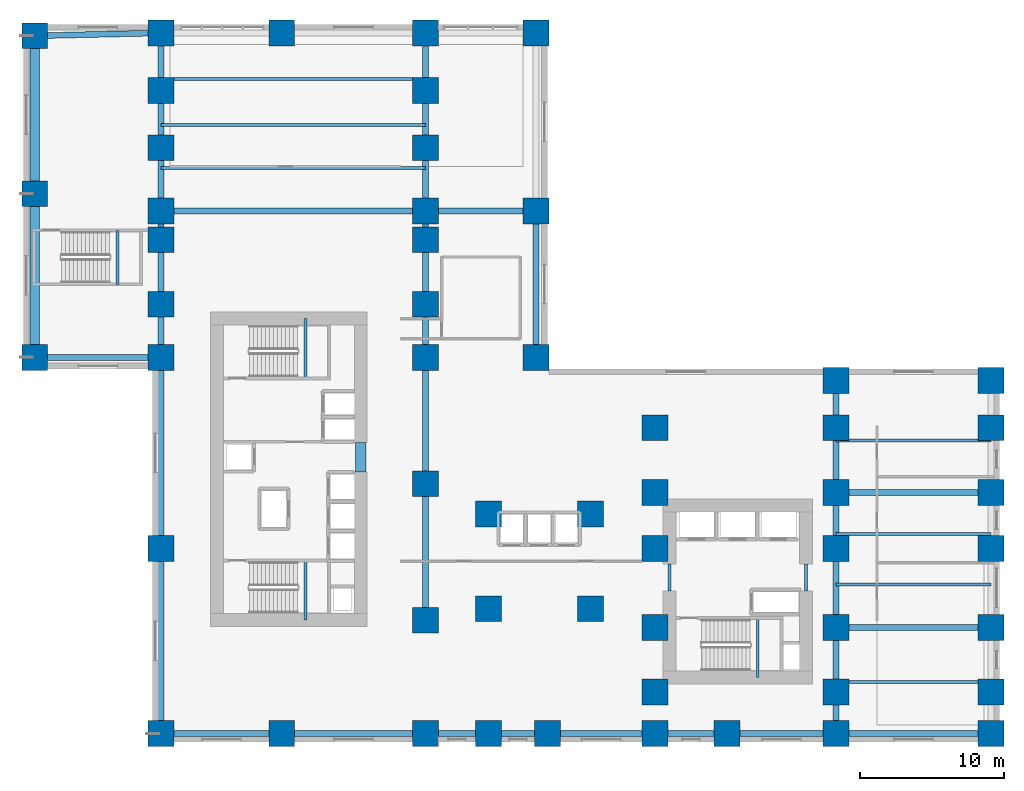
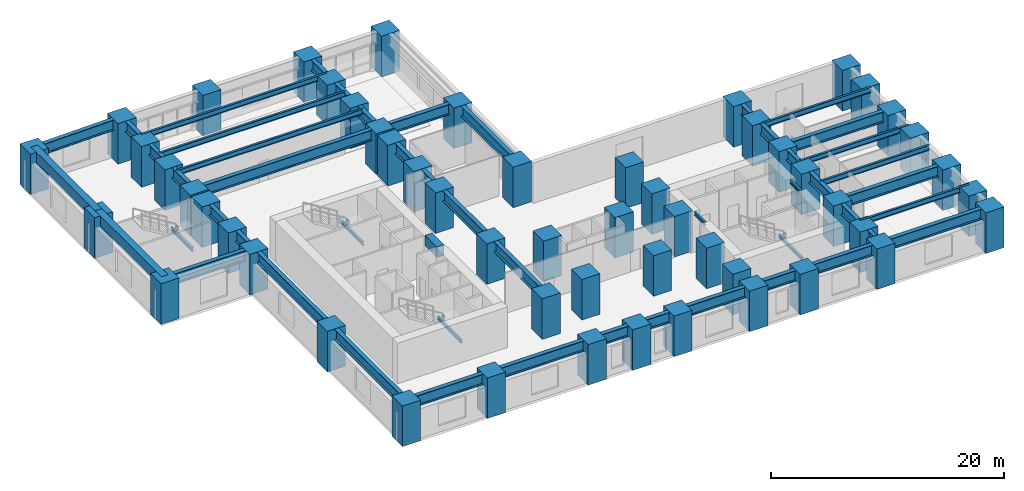
# One storey, part 1 of 11: 54 columns, 41 beams.
"""IFC4 building model written with IfcOpenShell, lengths in metres."""

from ifc_helpers import new_model, si_unit, direction, frame, origin, origin_2d, place, context, subcontext, project, spatial, rectangle, i_section, extrude, source, transform, mapped, material, material_profile, profile_set, type_object, element, save


model = new_model("IFC4")

# Units and contexts
model_context = context("Model", 3, precision=1e-05, world=origin(), true_north=direction((0.0, 1.0)))
body_context = subcontext(model_context, "Body", "Model", "MODEL_VIEW")
ifc_project = project(units=[si_unit("LENGTHUNIT", "METRE"), si_unit("AREAUNIT", "SQUARE_METRE"), si_unit("VOLUMEUNIT", "CUBIC_METRE"), si_unit("PLANEANGLEUNIT", "RADIAN"), si_unit("MASSUNIT", "GRAM", prefix="KILO")], contexts=[model_context])

# Site, building, storey
site_placement = place(None, origin())
site = spatial("IfcSite", under=ifc_project, at=site_placement, CompositionType="ELEMENT")
building_placement = place(site_placement, origin())
building = spatial("IfcBuilding", under=site, at=building_placement, Name="Kharzan Plaza Tower", CompositionType="ELEMENT")
storey_placement = place(building_placement, frame((0.0, 0.0, 9.0)))
storey = spatial("IfcBuildingStorey", under=building, at=storey_placement, Name="L02", CompositionType="ELEMENT", Elevation=9.0)

# Columns
ifc_material_1 = material(Name="Concrete C60/75", Category="concrete")
ifc_material_profile_1 = material_profile(ifc_material_1, rectangle(XDim=1.800048828125, YDim=1.800048828125, at=origin_2d()), Name="RC-MC1800x1800")
ifc_profile_set_1 = profile_set([ifc_material_profile_1], Name="Concrete C60/75")
column_type = type_object("IfcColumnType", Name="COL-MC1800", PredefinedType="COLUMN", material=ifc_profile_set_1)
shared_shape_1 = source(origin(), body_context, "Body", "SweptSolid", [
    extrude(rectangle(XDim=1.800048828125, YDim=1.800048828125, at=origin_2d()), origin(), (0.0, 0.0, 1.0), 4.25),
])
for number, where, z_axis, x_axis, name in (
    (1, (-8.199951171875, 26.800048828125, 0.0), (0.0, 0.0, 1.0), (1.0, 0.0, 0.0), "L02 Podium Mega-Column MC01"),
    (2, (-8.199951171875, 38.199951171875, 0.0), (0.0, 0.0, 1.0), (1.0, 0.0, 0.0), "L02 Podium Mega-Column MC02"),
    (3, (-8.199951171875, 49.199951171875, 0.0), (0.0, 0.0, 1.0), (1.0, 0.0, 0.0), "L02 Podium Mega-Column MC03"),
    (4, (0.60009765625, 0.60009765625, 0.0), (0.0, 0.0, 1.0), (1.0, 0.0, 0.0), "L02 Podium Mega-Column MC04"),
    (5, (0.60009765625, 13.5, 0.0), (0.0, 0.0, 1.0), (1.0, 0.0, 0.0), "L02 Podium Mega-Column MC05"),
    (6, (0.60009765625, 26.800048828125, 0.0), (0.0, 0.0, 1.0), (1.0, 0.0, 0.0), "L02 Podium Mega-Column MC06"),
    (7, (0.60009765625, 30.5, 0.0), (0.0, 0.0, 1.0), (1.0, 0.0, 0.0), "L02 Podium Mega-Column MC07"),
    (8, (0.60009765625, 35.0, 0.0), (0.0, 0.0, 1.0), (1.0, 0.0, 0.0), "L02 Podium Mega-Column MC08"),
    (9, (0.60009765625, 37.0, 0.0), (0.0, 0.0, 1.0), (1.0, 0.0, 0.0), "L02 Podium Mega-Column MC09"),
    (10, (0.60009765625, 41.39990234375, 0.0), (0.0, 0.0, 1.0), (1.0, 0.0, 0.0), "L02 Podium Mega-Column MC10"),
    (11, (0.60009765625, 45.39990234375, 0.0), (0.0, 0.0, 1.0), (1.0, 0.0, 0.0), "L02 Podium Mega-Column MC11"),
    (12, (0.60009765625, 49.39990234375, 0.0), (0.0, 0.0, 1.0), (1.0, 0.0, 0.0), "L02 Podium Mega-Column MC12"),
    (13, (9.0, 0.60009765625, 0.0), (0.0, 0.0, 1.0), (1.0, 0.0, 0.0), "L02 Podium Mega-Column MC13"),
    (14, (19.0, 0.60009765625, 0.0), (0.0, 0.0, 1.0), (1.0, 0.0, 0.0), "L02 Podium Mega-Column MC14"),
    (15, (27.5, 0.60009765625, 0.0), (0.0, 0.0, 1.0), (1.0, 0.0, 0.0), "L02 Podium Mega-Column MC15"),
    (16, (35.0, 0.60009765625, 0.0), (0.0, 0.0, 1.0), (1.0, 0.0, 0.0), "L02 Podium Mega-Column MC16"),
    (17, (40.0, 0.60009765625, 0.0), (0.0, 0.0, 1.0), (1.0, 0.0, 0.0), "L02 Podium Mega-Column MC17"),
    (18, (47.60009765625, 0.60009765625, 0.0), (0.0, 0.0, 1.0), (1.0, 0.0, 0.0), "L02 Podium Mega-Column MC18"),
    (19, (58.39990234375, 0.60009765625, 0.0), (0.0, 0.0, 1.0), (1.0, 0.0, 0.0), "L02 Podium Mega-Column MC19"),
    (20, (9.0, 49.39990234375, 0.0), (0.0, 0.0, 1.0), (1.0, 0.0, 0.0), "L02 Podium Mega-Column MC20"),
    (21, (19.0, 49.39990234375, 0.0), (0.0, 0.0, 1.0), (1.0, 0.0, 0.0), "L02 Podium Mega-Column MC21"),
    (22, (26.699951171875, 49.39990234375, 0.0), (0.0, 0.0, 1.0), (1.0, 0.0, 0.0), "L02 Podium Mega-Column MC22"),
    (23, (26.699951171875, 26.800048828125, 0.0), (0.0, 0.0, 1.0), (1.0, 0.0, 0.0), "L02 Podium Mega-Column MC23"),
    (24, (26.699951171875, 37.0, 0.0), (0.0, 0.0, 1.0), (1.0, 0.0, 0.0), "L02 Podium Mega-Column MC24"),
    (25, (58.39990234375, 3.5, 0.0), (0.0, 0.0, 1.0), (1.0, 0.0, 0.0), "L02 Podium Mega-Column MC25"),
    (26, (58.39990234375, 8.0, 0.0), (0.0, 0.0, 1.0), (1.0, 0.0, 0.0), "L02 Podium Mega-Column MC26"),
    (27, (58.39990234375, 13.5, 0.0), (0.0, 0.0, 1.0), (1.0, 0.0, 0.0), "L02 Podium Mega-Column MC27"),
    (28, (58.39990234375, 17.39990234375, 0.0), (0.0, 0.0, 1.0), (1.0, 0.0, 0.0), "L02 Podium Mega-Column MC28"),
    (29, (58.39990234375, 21.89990234375, 0.0), (0.0, 0.0, 1.0), (1.0, 0.0, 0.0), "L02 Podium Mega-Column MC29"),
    (30, (58.39990234375, 25.199951171875, 0.0), (0.0, 0.0, 1.0), (1.0, 0.0, 0.0), "L02 Podium Mega-Column MC30"),
    (31, (47.60009765625, 3.5, 0.0), (0.0, 0.0, 1.0), (1.0, 0.0, 0.0), "L02 Podium Mega-Column MC31"),
    (32, (47.60009765625, 8.0, 0.0), (0.0, 0.0, 1.0), (1.0, 0.0, 0.0), "L02 Podium Mega-Column MC32"),
    (33, (47.60009765625, 13.5, 0.0), (0.0, 0.0, 1.0), (1.0, 0.0, 0.0), "L02 Podium Mega-Column MC33"),
    (34, (47.60009765625, 17.39990234375, 0.0), (0.0, 0.0, 1.0), (1.0, 0.0, 0.0), "L02 Podium Mega-Column MC34"),
    (35, (47.60009765625, 21.89990234375, 0.0), (0.0, 0.0, 1.0), (1.0, 0.0, 0.0), "L02 Podium Mega-Column MC35"),
    (36, (47.60009765625, 25.199951171875, 0.0), (0.0, 0.0, 1.0), (1.0, 0.0, 0.0), "L02 Podium Mega-Column MC36"),
    (37, (19.0, 8.5, 0.0), (0.0, 0.0, 1.0), (1.0, 0.0, 0.0), "L02 Podium Mega-Column MC37"),
    (38, (19.0, 18.0, 0.0), (0.0, 0.0, 1.0), (1.0, 0.0, 0.0), "L02 Podium Mega-Column MC38"),
    (39, (19.0, 26.800048828125, 0.0), (0.0, 0.0, 1.0), (1.0, 0.0, 0.0), "L02 Podium Mega-Column MC39"),
    (40, (19.0, 30.5, 0.0), (0.0, 0.0, 1.0), (1.0, 0.0, 0.0), "L02 Podium Mega-Column MC40"),
    (41, (19.0, 35.0, 0.0), (0.0, 0.0, 1.0), (1.0, 0.0, 0.0), "L02 Podium Mega-Column MC41"),
    (42, (19.0, 37.0, 0.0), (0.0, 0.0, 1.0), (1.0, 0.0, 0.0), "L02 Podium Mega-Column MC42"),
    (43, (19.0, 41.39990234375, 0.0), (0.0, 0.0, 1.0), (1.0, 0.0, 0.0), "L02 Podium Mega-Column MC43"),
    (44, (19.0, 45.39990234375, 0.0), (0.0, 0.0, 1.0), (1.0, 0.0, 0.0), "L02 Podium Mega-Column MC44"),
    (45, (35.0, 3.5, 0.0), (0.0, 0.0, 1.0), (1.0, 0.0, 0.0), "L02 Podium Mega-Column MC45"),
    (46, (35.0, 8.0, 0.0), (0.0, 0.0, 1.0), (1.0, 0.0, 0.0), "L02 Podium Mega-Column MC46"),
    (47, (35.0, 13.5, 0.0), (0.0, 0.0, 1.0), (1.0, 0.0, 0.0), "L02 Podium Mega-Column MC47"),
    (48, (35.0, 17.39990234375, 0.0), (0.0, 0.0, 1.0), (1.0, 0.0, 0.0), "L02 Podium Mega-Column MC48"),
    (49, (35.0, 21.89990234375, 0.0), (0.0, 0.0, 1.0), (1.0, 0.0, 0.0), "L02 Podium Mega-Column MC49"),
    (50, (23.39990234375, 0.60009765625, 0.0), (0.0, 0.0, 1.0), (1.0, 0.0, 0.0), "L02 Podium Mega-Column MC50"),
    (51, (23.39990234375, 9.300048828125, 0.0), (0.0, 0.0, 1.0), (1.0, 0.0, 0.0), "L02 Podium Mega-Column MC51"),
    (52, (30.5, 9.300048828125, 0.0), (0.0, 0.0, 1.0), (1.0, 0.0, 0.0), "L02 Podium Mega-Column MC52"),
    (53, (23.39990234375, 15.89990234375, 0.0), (0.0, 0.0, 1.0), (1.0, 0.0, 0.0), "L02 Podium Mega-Column MC53"),
    (54, (30.5, 15.89990234375, 0.0), (0.0, 0.0, 1.0), (1.0, 0.0, 0.0), "L02 Podium Mega-Column MC54"),
):
    element("IfcColumn", number, at=place(storey_placement, frame(where, z_axis=z_axis, x_axis=x_axis)), inside=storey, type_object=column_type, Name=name, PredefinedType="COLUMN", context=body_context, shape_type="MappedRepresentation", body=[
        mapped(shared_shape_1, transform((0.0, 0.0, 0.0), x_axis=(1.0, 0.0, 0.0), y_axis=(0.0, 1.0, 0.0), z_axis=(0.0, 0.0, 1.0))),
    ])

# Beams
ifc_material_profile_2 = material_profile(ifc_material_1, rectangle(XDim=0.699951171875, YDim=1.10009765625, at=origin_2d()), Name="RC-CB1100x700")
ifc_profile_set_2 = profile_set([ifc_material_profile_2], Name="Concrete C60/75")
beam_type_1 = type_object("IfcBeamType", Name="BM-RCCB1100", PredefinedType="LINTEL", material=ifc_profile_set_2)
shared_shape_2 = source(origin(), body_context, "Body", "SweptSolid", [
    extrude(rectangle(XDim=0.699951171875, YDim=1.10009765625, at=origin_2d()), origin(), (0.0, 0.0, 1.0), 2.059814453125),
])
beam_1_placement = place(storey_placement, frame((14.5, 18.820068359375, 3.699951171875), z_axis=(0.0, 1.0, 0.0), x_axis=(-1.0, 0.0, 0.0)))
element("IfcBeam", 55, at=beam_1_placement, inside=storey, type_object=beam_type_1, Name="L02 CORE-A RC coupling beam CB1", PredefinedType="LINTEL", context=body_context, shape_type="MappedRepresentation", body=[
    mapped(shared_shape_2, transform((0.0, 0.0, 0.0), x_axis=(1.0, 0.0, 0.0), y_axis=(0.0, 1.0, 0.0), z_axis=(0.0, 0.0, 1.0))),
])
ifc_material_2 = material(Name="Steel S355", Category="steel")
ifc_material_profile_3 = material_profile(ifc_material_2, i_section(OverallWidth=0.205078125, OverallDepth=0.35400390625, WebThickness=0.009521484375, FlangeThickness=0.016845703125, at=origin_2d()), Name="W360x79")
ifc_profile_set_3 = profile_set([ifc_material_profile_3], Name="Steel S355")
beam_type_2 = type_object("IfcBeamType", Name="BM-LNT360", PredefinedType="LINTEL", material=ifc_profile_set_3)
shared_shape_3 = source(origin(), body_context, "Body", "SweptSolid", [
    extrude(i_section(OverallWidth=0.205078125, OverallDepth=0.35400390625, WebThickness=0.009521484375, FlangeThickness=0.016845703125, at=origin_2d()), origin(), (0.0, 0.0, 1.0), 1.849853515625),
])
for number, where, z_axis, x_axis, name in (
    (56, (45.5, 10.550048828125, 4.072998046875), (0.0, 1.0, 0.0), (-1.0, 0.0, 0.0), "L02 CORE-B coupling lintel LN1-WE"),
    (57, (36.0, 10.550048828125, 4.072998046875), (0.0, 1.0, 0.0), (-1.0, 0.0, 0.0), "L02 CORE-B coupling lintel LN1-WW"),
):
    element("IfcBeam", number, at=place(storey_placement, frame(where, z_axis=z_axis, x_axis=x_axis)), inside=storey, type_object=beam_type_2, Name=name, PredefinedType="LINTEL", context=body_context, shape_type="MappedRepresentation", body=[
        mapped(shared_shape_3, transform((0.0, 0.0, 0.0), x_axis=(1.0, 0.0, 0.0), y_axis=(0.0, 1.0, 0.0), z_axis=(0.0, 0.0, 1.0))),
    ])
shared_shape_4 = source(origin(), body_context, "Body", "SweptSolid", [
    extrude(i_section(OverallWidth=0.205078125, OverallDepth=0.35400390625, WebThickness=0.009521484375, FlangeThickness=0.016845703125, at=origin_2d()), origin(), (0.0, 0.0, 1.0), 4.155029296875),
])
for number, where, z_axis, x_axis, name in (
    (58, (10.64990234375, 8.5, 1.873046875), (0.0, 1.0, 0.0), (-1.0, 0.0, 0.0), "L02 Stair ST-1 Half-Landing Beam"),
    (59, (10.64990234375, 25.344970703125, 1.873046875), (0.0, 1.0, 0.0), (-1.0, 0.0, 0.0), "L02 Stair ST-2 Half-Landing Beam"),
    (60, (42.14990234375, 4.5, 1.873046875), (0.0, 1.0, 0.0), (-1.0, 0.0, 0.0), "L02 Stair ST-3 Half-Landing Beam"),
):
    element("IfcBeam", number, at=place(storey_placement, frame(where, z_axis=z_axis, x_axis=x_axis)), inside=storey, type_object=beam_type_2, Name=name, PredefinedType="LINTEL", context=body_context, shape_type="MappedRepresentation", body=[
        mapped(shared_shape_4, transform((0.0, 0.0, 0.0), x_axis=(1.0, 0.0, 0.0), y_axis=(0.0, 1.0, 0.0), z_axis=(0.0, 0.0, 1.0))),
    ])
ifc_material_profile_4 = material_profile(ifc_material_2, i_section(OverallWidth=0.214111328125, OverallDepth=0.549072265625, WebThickness=0.0146484375, FlangeThickness=0.023681640625, at=origin_2d()), Name="W530x138")
ifc_profile_set_4 = profile_set([ifc_material_profile_4], Name="Steel S355")
beam_type_3 = type_object("IfcBeamType", Name="BM-JST530A", PredefinedType="JOIST", material=ifc_profile_set_4)
shared_shape_5 = source(origin(), body_context, "Body", "SweptSolid", [
    extrude(i_section(OverallWidth=0.214111328125, OverallDepth=0.549072265625, WebThickness=0.0146484375, FlangeThickness=0.023681640625, at=origin_2d()), origin(), (0.0, 0.0, 1.0), 18.39990234375),
])
for number, where, z_axis, x_axis, name in (
    (61, (0.60009765625, 40.0, 3.9755859375), (1.0, 0.0, 0.0), (0.0, 1.0, 0.0), "L02 Auditorium Joist PJ-1"),
    (62, (0.60009765625, 43.0, 3.9755859375), (1.0, 0.0, 0.0), (0.0, 1.0, 0.0), "L02 Auditorium Joist PJ-2"),
    (63, (0.60009765625, 46.199951171875, 3.9755859375), (1.0, 0.0, 0.0), (0.0, 1.0, 0.0), "L02 Auditorium Joist PJ-3"),
):
    element("IfcBeam", number, at=place(storey_placement, frame(where, z_axis=z_axis, x_axis=x_axis)), inside=storey, type_object=beam_type_3, Name=name, PredefinedType="JOIST", context=body_context, shape_type="MappedRepresentation", body=[
        mapped(shared_shape_5, transform((0.0, 0.0, 0.0), x_axis=(1.0, 0.0, 0.0), y_axis=(0.0, 1.0, 0.0), z_axis=(0.0, 0.0, 1.0))),
    ])
shared_shape_6 = source(origin(), body_context, "Body", "SweptSolid", [
    extrude(i_section(OverallWidth=0.214111328125, OverallDepth=0.549072265625, WebThickness=0.0146484375, FlangeThickness=0.023681640625, at=origin_2d()), origin(), (0.0, 0.0, 1.0), 10.7998046875),
])
for number, where, z_axis, x_axis, name in (
    (64, (47.60009765625, 4.199951171875, 3.9755859375), (1.0, 0.0, 0.0), (0.0, 1.0, 0.0), "L02 East Podium Joist PJ-B1"),
    (65, (47.60009765625, 11.0, 3.9755859375), (1.0, 0.0, 0.0), (0.0, 1.0, 0.0), "L02 East Podium Joist PJ-B2"),
    (66, (47.60009765625, 14.5, 3.9755859375), (1.0, 0.0, 0.0), (0.0, 1.0, 0.0), "L02 East Podium Joist PJ-B3"),
    (67, (47.60009765625, 21.0, 3.9755859375), (1.0, 0.0, 0.0), (0.0, 1.0, 0.0), "L02 East Podium Joist PJ-B4"),
):
    element("IfcBeam", number, at=place(storey_placement, frame(where, z_axis=z_axis, x_axis=x_axis)), inside=storey, type_object=beam_type_3, Name=name, PredefinedType="JOIST", context=body_context, shape_type="MappedRepresentation", body=[
        mapped(shared_shape_6, transform((0.0, 0.0, 0.0), x_axis=(1.0, 0.0, 0.0), y_axis=(0.0, 1.0, 0.0), z_axis=(0.0, 0.0, 1.0))),
    ])
shared_shape_7 = source(origin(), body_context, "Body", "SweptSolid", [
    extrude(i_section(OverallWidth=0.205078125, OverallDepth=0.35400390625, WebThickness=0.009521484375, FlangeThickness=0.016845703125, at=origin_2d()), origin(), (0.0, 0.0, 1.0), 3.760009765625),
])
beam_2_placement = place(storey_placement, frame((-2.449951171875, 31.89501953125, 1.873046875), z_axis=(0.0, 1.0, 0.0), x_axis=(-1.0, 0.0, 0.0)))
element("IfcBeam", 68, at=beam_2_placement, inside=storey, type_object=beam_type_2, Name="L02 Stair ST-4 Half-Landing Beam", PredefinedType="LINTEL", context=body_context, shape_type="MappedRepresentation", body=[
    mapped(shared_shape_7, transform((0.0, 0.0, 0.0), x_axis=(1.0, 0.0, 0.0), y_axis=(0.0, 1.0, 0.0), z_axis=(0.0, 0.0, 1.0))),
])
ifc_material_profile_5 = material_profile(ifc_material_1, rectangle(XDim=0.64990234375, YDim=1.050048828125, at=origin_2d()), Name="RC-SP1050x650")
ifc_profile_set_5 = profile_set([ifc_material_profile_5], Name="Concrete C60/75")
beam_type_4 = type_object("IfcBeamType", Name="BM-RCSP1050", PredefinedType="SPANDREL", material=ifc_profile_set_5)
shared_shape_8 = source(origin(), body_context, "Body", "SweptSolid", [
    extrude(rectangle(XDim=0.64990234375, YDim=1.050048828125, at=origin_2d()), origin(), (0.0, 0.0, 1.0), 11.39990234375),
])
beam_3_placement = place(storey_placement, frame((-8.199951171875, 26.800048828125, 3.72509765625), z_axis=(0.0, 1.0, 0.0), x_axis=(-1.0, 0.0, 0.0)))
element("IfcBeam", 69, at=beam_3_placement, inside=storey, type_object=beam_type_4, Name="L02 Podium RC Spandrel Beam W1", PredefinedType="SPANDREL", context=body_context, shape_type="MappedRepresentation", body=[
    mapped(shared_shape_8, transform((0.0, 0.0, 0.0), x_axis=(1.0, 0.0, 0.0), y_axis=(0.0, 1.0, 0.0), z_axis=(0.0, 0.0, 1.0))),
])
shared_shape_9 = source(origin(), body_context, "Body", "SweptSolid", [
    extrude(rectangle(XDim=0.64990234375, YDim=1.050048828125, at=origin_2d()), origin(), (0.0, 0.0, 1.0), 11.0),
])
beam_4_placement = place(storey_placement, frame((-8.199951171875, 38.199951171875, 3.72509765625), z_axis=(0.0, 1.0, 0.0), x_axis=(-1.0, 0.0, 0.0)))
element("IfcBeam", 70, at=beam_4_placement, inside=storey, type_object=beam_type_4, Name="L02 Podium RC Spandrel Beam W2", PredefinedType="SPANDREL", context=body_context, shape_type="MappedRepresentation", body=[
    mapped(shared_shape_9, transform((0.0, 0.0, 0.0), x_axis=(1.0, 0.0, 0.0), y_axis=(0.0, 1.0, 0.0), z_axis=(0.0, 0.0, 1.0))),
])
ifc_material_profile_6 = material_profile(ifc_material_2, i_section(OverallWidth=0.405029296875, OverallDepth=1.117919921875, WebThickness=0.02587890625, FlangeThickness=0.044921875, at=origin_2d()), Name="W1100x499")
ifc_profile_set_6 = profile_set([ifc_material_profile_6], Name="Steel S355")
beam_type_5 = type_object("IfcBeamType", Name="BM-PG1100A", PredefinedType="BEAM", material=ifc_profile_set_6)
shared_shape_10 = source(origin(), body_context, "Body", "SweptSolid", [
    extrude(i_section(OverallWidth=0.405029296875, OverallDepth=1.117919921875, WebThickness=0.02587890625, FlangeThickness=0.044921875, at=origin_2d()), origin(), (0.0, 0.0, 1.0), 10.0),
])
beam_5_placement = place(storey_placement, frame((9.0, 0.60009765625, 3.69091796875), z_axis=(1.0, 0.0, 0.0), x_axis=(0.0, 1.0, 0.0)))
element("IfcBeam", 71, at=beam_5_placement, inside=storey, type_object=beam_type_5, Name="L02 Podium Primary Girder PG-3", PredefinedType="BEAM", context=body_context, shape_type="MappedRepresentation", body=[
    mapped(shared_shape_10, transform((0.0, 0.0, 0.0), x_axis=(1.0, 0.0, 0.0), y_axis=(0.0, 1.0, 0.0), z_axis=(0.0, 0.0, 1.0))),
])
shared_shape_11 = source(origin(), body_context, "Body", "SweptSolid", [
    extrude(i_section(OverallWidth=0.405029296875, OverallDepth=1.117919921875, WebThickness=0.02587890625, FlangeThickness=0.044921875, at=origin_2d()), origin(), (0.0, 0.0, 1.0), 7.699951171875),
])
beam_6_placement = place(storey_placement, frame((19.0, 37.0, 3.69091796875), z_axis=(1.0, 0.0, 0.0), x_axis=(0.0, 1.0, 0.0)))
element("IfcBeam", 72, at=beam_6_placement, inside=storey, type_object=beam_type_5, Name="L02 Podium Primary Girder PG-13", PredefinedType="BEAM", context=body_context, shape_type="MappedRepresentation", body=[
    mapped(shared_shape_11, transform((0.0, 0.0, 0.0), x_axis=(1.0, 0.0, 0.0), y_axis=(0.0, 1.0, 0.0), z_axis=(0.0, 0.0, 1.0))),
])
shared_shape_12 = source(origin(), body_context, "Body", "SweptSolid", [
    extrude(i_section(OverallWidth=0.405029296875, OverallDepth=1.117919921875, WebThickness=0.02587890625, FlangeThickness=0.044921875, at=origin_2d()), origin(), (0.0, 0.0, 1.0), 18.39990234375),
])
beam_7_placement = place(storey_placement, frame((0.60009765625, 37.0, 3.69091796875), z_axis=(1.0, 0.0, 0.0), x_axis=(0.0, 1.0, 0.0)))
element("IfcBeam", 73, at=beam_7_placement, inside=storey, type_object=beam_type_5, Name="L02 Podium Primary Girder PG-12", PredefinedType="BEAM", context=body_context, shape_type="MappedRepresentation", body=[
    mapped(shared_shape_12, transform((0.0, 0.0, 0.0), x_axis=(1.0, 0.0, 0.0), y_axis=(0.0, 1.0, 0.0), z_axis=(0.0, 0.0, 1.0))),
])
shared_shape_13 = source(origin(), body_context, "Body", "SweptSolid", [
    extrude(i_section(OverallWidth=0.405029296875, OverallDepth=1.117919921875, WebThickness=0.02587890625, FlangeThickness=0.044921875, at=origin_2d()), origin(), (0.0, 0.0, 1.0), 12.89990234375),
])
beam_8_placement = place(storey_placement, frame((0.60009765625, 0.60009765625, 3.69091796875), z_axis=(0.0, 1.0, 0.0), x_axis=(-1.0, 0.0, 0.0)))
element("IfcBeam", 74, at=beam_8_placement, inside=storey, type_object=beam_type_5, Name="L02 Podium Primary Girder PG-14", PredefinedType="BEAM", context=body_context, shape_type="MappedRepresentation", body=[
    mapped(shared_shape_13, transform((0.0, 0.0, 0.0), x_axis=(1.0, 0.0, 0.0), y_axis=(0.0, 1.0, 0.0), z_axis=(0.0, 0.0, 1.0))),
])
shared_shape_14 = source(origin(), body_context, "Body", "SweptSolid", [
    extrude(i_section(OverallWidth=0.405029296875, OverallDepth=1.117919921875, WebThickness=0.02587890625, FlangeThickness=0.044921875, at=origin_2d()), origin(), (0.0, 0.0, 1.0), 13.300048828125),
])
beam_9_placement = place(storey_placement, frame((0.60009765625, 13.5, 3.69091796875), z_axis=(0.0, 1.0, 0.0), x_axis=(-1.0, 0.0, 0.0)))
element("IfcBeam", 75, at=beam_9_placement, inside=storey, type_object=beam_type_5, Name="L02 Podium Primary Girder PG-15", PredefinedType="BEAM", context=body_context, shape_type="MappedRepresentation", body=[
    mapped(shared_shape_14, transform((0.0, 0.0, 0.0), x_axis=(1.0, 0.0, 0.0), y_axis=(0.0, 1.0, 0.0), z_axis=(0.0, 0.0, 1.0))),
])
shared_shape_15 = source(origin(), body_context, "Body", "SweptSolid", [
    extrude(i_section(OverallWidth=0.405029296875, OverallDepth=1.117919921875, WebThickness=0.02587890625, FlangeThickness=0.044921875, at=origin_2d()), origin(), (0.0, 0.0, 1.0), 10.199951171875),
])
for number, where, z_axis, x_axis, name in (
    (76, (0.60009765625, 26.800048828125, 3.69091796875), (0.0, 1.0, 0.0), (-1.0, 0.0, 0.0), "L02 Podium Primary Girder PG-16"),
    (77, (19.0, 26.800048828125, 3.69091796875), (0.0, 1.0, 0.0), (-1.0, 0.0, 0.0), "L02 Podium Primary Girder PG-20"),
    (78, (26.699951171875, 26.800048828125, 3.69091796875), (0.0, 1.0, 0.0), (-1.0, 0.0, 0.0), "L02 Podium Primary Girder PG-32"),
):
    element("IfcBeam", number, at=place(storey_placement, frame(where, z_axis=z_axis, x_axis=x_axis)), inside=storey, type_object=beam_type_5, Name=name, PredefinedType="BEAM", context=body_context, shape_type="MappedRepresentation", body=[
        mapped(shared_shape_15, transform((0.0, 0.0, 0.0), x_axis=(1.0, 0.0, 0.0), y_axis=(0.0, 1.0, 0.0), z_axis=(0.0, 0.0, 1.0))),
    ])
shared_shape_16 = source(origin(), body_context, "Body", "SweptSolid", [
    extrude(i_section(OverallWidth=0.405029296875, OverallDepth=1.117919921875, WebThickness=0.02587890625, FlangeThickness=0.044921875, at=origin_2d()), origin(), (0.0, 0.0, 1.0), 12.39990234375),
])
for number, where, z_axis, x_axis, name in (
    (79, (0.60009765625, 37.0, 3.69091796875), (0.0, 1.0, 0.0), (-1.0, 0.0, 0.0), "L02 Podium Primary Girder PG-17"),
    (80, (19.0, 37.0, 3.69091796875), (0.0, 1.0, 0.0), (-1.0, 0.0, 0.0), "L02 Podium Primary Girder PG-21"),
):
    element("IfcBeam", number, at=place(storey_placement, frame(where, z_axis=z_axis, x_axis=x_axis)), inside=storey, type_object=beam_type_5, Name=name, PredefinedType="BEAM", context=body_context, shape_type="MappedRepresentation", body=[
        mapped(shared_shape_16, transform((0.0, 0.0, 0.0), x_axis=(1.0, 0.0, 0.0), y_axis=(0.0, 1.0, 0.0), z_axis=(0.0, 0.0, 1.0))),
    ])
shared_shape_17 = source(origin(), body_context, "Body", "SweptSolid", [
    extrude(i_section(OverallWidth=0.405029296875, OverallDepth=1.117919921875, WebThickness=0.02587890625, FlangeThickness=0.044921875, at=origin_2d()), origin(), (0.0, 0.0, 1.0), 9.5),
])
beam_10_placement = place(storey_placement, frame((19.0, 8.5, 3.69091796875), z_axis=(0.0, 1.0, 0.0), x_axis=(-1.0, 0.0, 0.0)))
element("IfcBeam", 81, at=beam_10_placement, inside=storey, type_object=beam_type_5, Name="L02 Podium Primary Girder PG-18", PredefinedType="BEAM", context=body_context, shape_type="MappedRepresentation", body=[
    mapped(shared_shape_17, transform((0.0, 0.0, 0.0), x_axis=(1.0, 0.0, 0.0), y_axis=(0.0, 1.0, 0.0), z_axis=(0.0, 0.0, 1.0))),
])
shared_shape_18 = source(origin(), body_context, "Body", "SweptSolid", [
    extrude(i_section(OverallWidth=0.405029296875, OverallDepth=1.117919921875, WebThickness=0.02587890625, FlangeThickness=0.044921875, at=origin_2d()), origin(), (0.0, 0.0, 1.0), 8.800048828125),
])
for number, where, z_axis, x_axis, name in (
    (82, (19.0, 18.0, 3.69091796875), (0.0, 1.0, 0.0), (-1.0, 0.0, 0.0), "L02 Podium Primary Girder PG-19"),
    (83, (-8.199951171875, 26.800048828125, 3.69091796875), (1.0, 0.0, 0.0), (0.0, 1.0, 0.0), "L02 Podium Primary Girder PG-8S"),
):
    element("IfcBeam", number, at=place(storey_placement, frame(where, z_axis=z_axis, x_axis=x_axis)), inside=storey, type_object=beam_type_5, Name=name, PredefinedType="BEAM", context=body_context, shape_type="MappedRepresentation", body=[
        mapped(shared_shape_18, transform((0.0, 0.0, 0.0), x_axis=(1.0, 0.0, 0.0), y_axis=(0.0, 1.0, 0.0), z_axis=(0.0, 0.0, 1.0))),
    ])
shared_shape_19 = source(origin(), body_context, "Body", "SweptSolid", [
    extrude(i_section(OverallWidth=0.405029296875, OverallDepth=1.117919921875, WebThickness=0.02587890625, FlangeThickness=0.044921875, at=origin_2d()), origin(), (0.0, 0.0, 1.0), 8.39990234375),
])
beam_11_placement = place(storey_placement, frame((0.60009765625, 0.60009765625, 3.69091796875), z_axis=(1.0, 0.0, 0.0), x_axis=(0.0, 1.0, 0.0)))
element("IfcBeam", 84, at=beam_11_placement, inside=storey, type_object=beam_type_5, Name="L02 Podium Primary Girder PG-2", PredefinedType="BEAM", context=body_context, shape_type="MappedRepresentation", body=[
    mapped(shared_shape_19, transform((0.0, 0.0, 0.0), x_axis=(1.0, 0.0, 0.0), y_axis=(0.0, 1.0, 0.0), z_axis=(0.0, 0.0, 1.0))),
])
shared_shape_20 = source(origin(), body_context, "Body", "SweptSolid", [
    extrude(i_section(OverallWidth=0.405029296875, OverallDepth=1.117919921875, WebThickness=0.02587890625, FlangeThickness=0.044921875, at=origin_2d()), origin(), (0.0, 0.0, 1.0), 7.39990234375),
])
beam_12_placement = place(storey_placement, frame((47.60009765625, 0.60009765625, 3.69091796875), z_axis=(0.0, 1.0, 0.0), x_axis=(-1.0, 0.0, 0.0)))
element("IfcBeam", 85, at=beam_12_placement, inside=storey, type_object=beam_type_5, Name="L02 Podium Primary Girder PG-22", PredefinedType="BEAM", context=body_context, shape_type="MappedRepresentation", body=[
    mapped(shared_shape_20, transform((0.0, 0.0, 0.0), x_axis=(1.0, 0.0, 0.0), y_axis=(0.0, 1.0, 0.0), z_axis=(0.0, 0.0, 1.0))),
])
shared_shape_21 = source(origin(), body_context, "Body", "SweptSolid", [
    extrude(i_section(OverallWidth=0.405029296875, OverallDepth=1.117919921875, WebThickness=0.02587890625, FlangeThickness=0.044921875, at=origin_2d()), origin(), (0.0, 0.0, 1.0), 9.39990234375),
])
beam_13_placement = place(storey_placement, frame((47.60009765625, 8.0, 3.69091796875), z_axis=(0.0, 1.0, 0.0), x_axis=(-1.0, 0.0, 0.0)))
element("IfcBeam", 86, at=beam_13_placement, inside=storey, type_object=beam_type_5, Name="L02 Podium Primary Girder PG-23", PredefinedType="BEAM", context=body_context, shape_type="MappedRepresentation", body=[
    mapped(shared_shape_21, transform((0.0, 0.0, 0.0), x_axis=(1.0, 0.0, 0.0), y_axis=(0.0, 1.0, 0.0), z_axis=(0.0, 0.0, 1.0))),
])
shared_shape_22 = source(origin(), body_context, "Body", "SweptSolid", [
    extrude(i_section(OverallWidth=0.405029296875, OverallDepth=1.117919921875, WebThickness=0.02587890625, FlangeThickness=0.044921875, at=origin_2d()), origin(), (0.0, 0.0, 1.0), 7.800048828125),
])
beam_14_placement = place(storey_placement, frame((47.60009765625, 17.39990234375, 3.69091796875), z_axis=(0.0, 1.0, 0.0), x_axis=(-1.0, 0.0, 0.0)))
element("IfcBeam", 87, at=beam_14_placement, inside=storey, type_object=beam_type_5, Name="L02 Podium Primary Girder PG-24", PredefinedType="BEAM", context=body_context, shape_type="MappedRepresentation", body=[
    mapped(shared_shape_22, transform((0.0, 0.0, 0.0), x_axis=(1.0, 0.0, 0.0), y_axis=(0.0, 1.0, 0.0), z_axis=(0.0, 0.0, 1.0))),
])
shared_shape_23 = source(origin(), body_context, "Body", "SweptSolid", [
    extrude(i_section(OverallWidth=0.405029296875, OverallDepth=1.117919921875, WebThickness=0.02587890625, FlangeThickness=0.044921875, at=origin_2d()), origin(), (0.0, 0.0, 1.0), 10.7998046875),
])
for number, where, z_axis, x_axis, name in (
    (88, (47.60009765625, 8.0, 3.69091796875), (1.0, 0.0, 0.0), (0.0, 1.0, 0.0), "L02 Podium Primary Girder PG-28"),
    (89, (47.60009765625, 17.39990234375, 3.69091796875), (1.0, 0.0, 0.0), (0.0, 1.0, 0.0), "L02 Podium Primary Girder PG-29"),
    (90, (47.60009765625, 0.60009765625, 3.69091796875), (1.0, 0.0, 0.0), (0.0, 1.0, 0.0), "L02 Podium Primary Girder PG-7"),
):
    element("IfcBeam", number, at=place(storey_placement, frame(where, z_axis=z_axis, x_axis=x_axis)), inside=storey, type_object=beam_type_5, Name=name, PredefinedType="BEAM", context=body_context, shape_type="MappedRepresentation", body=[
        mapped(shared_shape_23, transform((0.0, 0.0, 0.0), x_axis=(1.0, 0.0, 0.0), y_axis=(0.0, 1.0, 0.0), z_axis=(0.0, 0.0, 1.0))),
    ])
shared_shape_24 = source(origin(), body_context, "Body", "SweptSolid", [
    extrude(i_section(OverallWidth=0.405029296875, OverallDepth=1.117919921875, WebThickness=0.02587890625, FlangeThickness=0.044921875, at=origin_2d()), origin(), (0.0, 0.0, 1.0), 8.5),
])
beam_15_placement = place(storey_placement, frame((19.0, 0.60009765625, 3.69091796875), z_axis=(1.0, 0.0, 0.0), x_axis=(0.0, 1.0, 0.0)))
element("IfcBeam", 91, at=beam_15_placement, inside=storey, type_object=beam_type_5, Name="L02 Podium Primary Girder PG-4", PredefinedType="BEAM", context=body_context, shape_type="MappedRepresentation", body=[
    mapped(shared_shape_24, transform((0.0, 0.0, 0.0), x_axis=(1.0, 0.0, 0.0), y_axis=(0.0, 1.0, 0.0), z_axis=(0.0, 0.0, 1.0))),
])
shared_shape_25 = source(origin(), body_context, "Body", "SweptSolid", [
    extrude(i_section(OverallWidth=0.405029296875, OverallDepth=1.117919921875, WebThickness=0.02587890625, FlangeThickness=0.044921875, at=origin_2d()), origin(), (0.0, 0.0, 1.0), 7.5),
])
beam_16_placement = place(storey_placement, frame((27.5, 0.60009765625, 3.69091796875), z_axis=(1.0, 0.0, 0.0), x_axis=(0.0, 1.0, 0.0)))
element("IfcBeam", 92, at=beam_16_placement, inside=storey, type_object=beam_type_5, Name="L02 Podium Primary Girder PG-5", PredefinedType="BEAM", context=body_context, shape_type="MappedRepresentation", body=[
    mapped(shared_shape_25, transform((0.0, 0.0, 0.0), x_axis=(1.0, 0.0, 0.0), y_axis=(0.0, 1.0, 0.0), z_axis=(0.0, 0.0, 1.0))),
])
shared_shape_26 = source(origin(), body_context, "Body", "SweptSolid", [
    extrude(i_section(OverallWidth=0.405029296875, OverallDepth=1.117919921875, WebThickness=0.02587890625, FlangeThickness=0.044921875, at=origin_2d()), origin(), (0.0, 0.0, 1.0), 5.0),
])
beam_17_placement = place(storey_placement, frame((35.0, 0.60009765625, 3.69091796875), z_axis=(1.0, 0.0, 0.0), x_axis=(0.0, 1.0, 0.0)))
element("IfcBeam", 93, at=beam_17_placement, inside=storey, type_object=beam_type_5, Name="L02 Podium Primary Girder PG-6A", PredefinedType="BEAM", context=body_context, shape_type="MappedRepresentation", body=[
    mapped(shared_shape_26, transform((0.0, 0.0, 0.0), x_axis=(1.0, 0.0, 0.0), y_axis=(0.0, 1.0, 0.0), z_axis=(0.0, 0.0, 1.0))),
])
shared_shape_27 = source(origin(), body_context, "Body", "SweptSolid", [
    extrude(i_section(OverallWidth=0.405029296875, OverallDepth=1.117919921875, WebThickness=0.02587890625, FlangeThickness=0.044921875, at=origin_2d()), origin(), (0.0, 0.0, 1.0), 7.60009765625),
])
beam_18_placement = place(storey_placement, frame((40.0, 0.60009765625, 3.69091796875), z_axis=(1.0, 0.0, 0.0), x_axis=(0.0, 1.0, 0.0)))
element("IfcBeam", 94, at=beam_18_placement, inside=storey, type_object=beam_type_5, Name="L02 Podium Primary Girder PG-6B", PredefinedType="BEAM", context=body_context, shape_type="MappedRepresentation", body=[
    mapped(shared_shape_27, transform((0.0, 0.0, 0.0), x_axis=(1.0, 0.0, 0.0), y_axis=(0.0, 1.0, 0.0), z_axis=(0.0, 0.0, 1.0))),
])
shared_shape_28 = source(origin(), body_context, "Body", "SweptSolid", [
    extrude(i_section(OverallWidth=0.405029296875, OverallDepth=1.117919921875, WebThickness=0.02587890625, FlangeThickness=0.044921875, at=origin_2d()), origin(), (0.0, 0.0, 1.0), 8.80224609375),
])
beam_19_placement = place(storey_placement, frame((-8.199951171875, 49.199951171875, 3.69091796875), z_axis=(0.9997419644, 0.022715735021, 0.0), x_axis=(-0.022715735021, 0.9997419644, 0.0)))
element("IfcBeam", 95, at=beam_19_placement, inside=storey, type_object=beam_type_5, Name="L02 Podium Primary Girder PG-8", PredefinedType="BEAM", context=body_context, shape_type="MappedRepresentation", body=[
    mapped(shared_shape_28, transform((0.0, 0.0, 0.0), x_axis=(1.0, 0.0, 0.0), y_axis=(0.0, 1.0, 0.0), z_axis=(0.0, 0.0, 1.0))),
])

save(model, "model.ifc")
